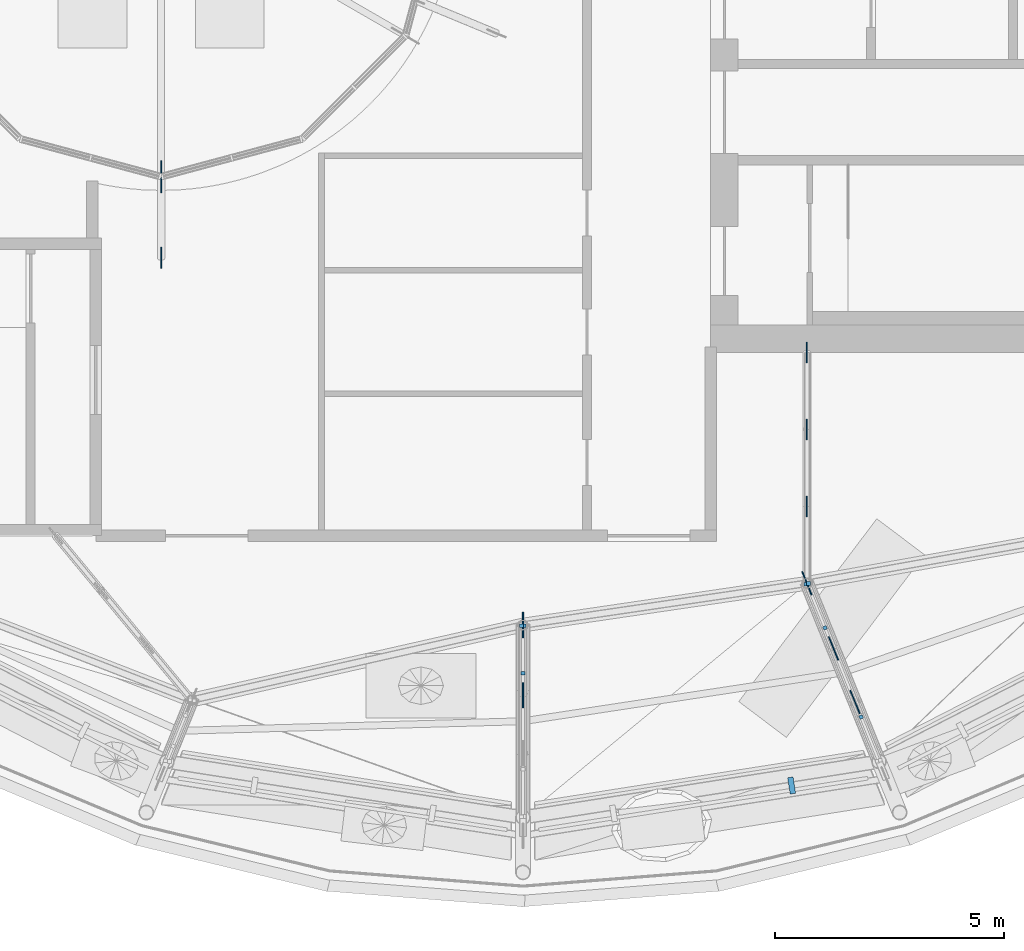
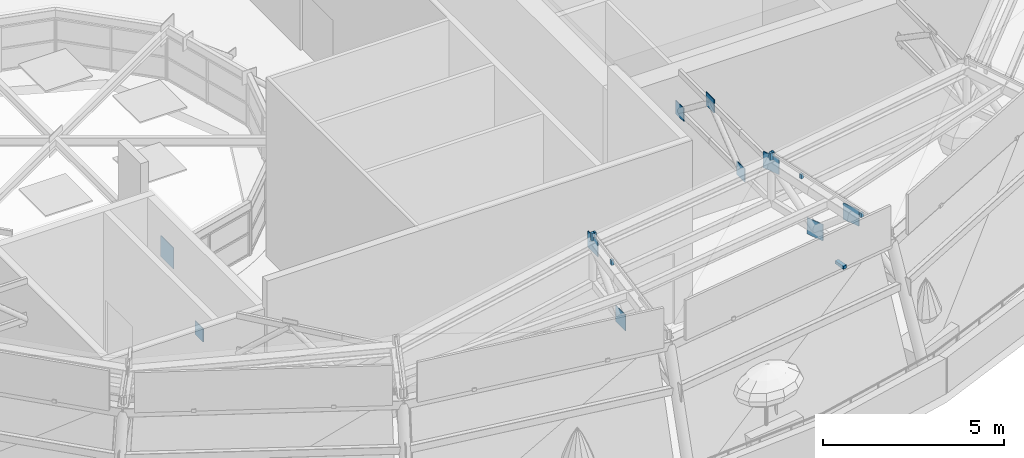
# One storey, part 21 of 40: 18 discrete accessories.
"""IFC4 building model written with IfcOpenShell, lengths in metres."""

from ifc_helpers import new_model, si_unit, direction, frame, origin, origin_2d, place, context, subcontext, project, spatial, rectangle, extrude, material, type_object, element, save


model = new_model("IFC4")

# Units and contexts
model_context = context("Model", 3, precision=1e-05, world=origin(), true_north=direction((0.0, 1.0)))
body_context = subcontext(model_context, "Body", "Model", "MODEL_VIEW")
ifc_project = project(units=[si_unit("LENGTHUNIT", "METRE"), si_unit("AREAUNIT", "SQUARE_METRE"), si_unit("VOLUMEUNIT", "CUBIC_METRE"), si_unit("PLANEANGLEUNIT", "RADIAN"), si_unit("MASSUNIT", "GRAM", prefix="KILO")], contexts=[model_context])

# Site, building, storey
site_placement = place(None, origin())
site = spatial("IfcSite", under=ifc_project, at=site_placement, CompositionType="ELEMENT")
building_placement = place(site_placement, origin())
building = spatial("IfcBuilding", under=site, at=building_placement, Name="Taillehof Tower", CompositionType="ELEMENT")
storey_placement = place(building_placement, frame((0.0, 0.0, 275.199951171875)))
storey = spatial("IfcBuildingStorey", under=building, at=storey_placement, Name="L77", CompositionType="ELEMENT", Elevation=275.199951171875)

# Discrete accessories
ifc_material_1 = material(Name="Steel S460M", Category="steel")
discrete_accessory_type_1 = type_object("IfcDiscreteAccessoryType", Name="Steel bracket", PredefinedType="BRACKET", material=ifc_material_1)
discrete_accessory_1_placement = place(storey_placement, frame((-0.130126953125, -15.9677734375, 5.23828125), z_axis=(0.0, 0.0, 1.0), x_axis=(1.0, 0.0, 0.0)))
element("IfcDiscreteAccessory", 1, at=discrete_accessory_1_placement, inside=storey, type_object=discrete_accessory_type_1, Name="Canopy glazing seat", PredefinedType="BRACKET", context=body_context, shape_type="SweptSolid", body=[
    extrude(rectangle(XDim=0.080078125, YDim=0.080078125, at=origin_2d()), origin(), (0.0, 0.0, 1.0), 0.264404296875),
])
discrete_accessory_2_placement = place(storey_placement, frame((-0.10009765625, -17.0, 5.0400390625), z_axis=(0.0, 0.0, 1.0), x_axis=(0.0, 1.0, 0.0)))
element("IfcDiscreteAccessory", 2, at=discrete_accessory_2_placement, inside=storey, type_object=discrete_accessory_type_1, Name="Canopy glazing seat", PredefinedType="BRACKET", context=body_context, shape_type="SweptSolid", body=[
    extrude(rectangle(XDim=0.080078125, YDim=0.080078125, at=origin_2d()), origin(), (0.0, 0.0, 1.0), 0.172607421875),
])
discrete_accessory_3_placement = place(storey_placement, frame((6.0751953125, -15.0615234375, 5.236328125), z_axis=(0.0, 0.0, 1.0), x_axis=(1.0, 0.0, 0.0)))
element("IfcDiscreteAccessory", 3, at=discrete_accessory_3_placement, inside=storey, type_object=discrete_accessory_type_1, Name="Canopy glazing seat", PredefinedType="BRACKET", context=body_context, shape_type="SweptSolid", body=[
    extrude(rectangle(XDim=0.080078125, YDim=0.080078125, at=origin_2d()), origin(), (0.0, 0.0, 1.0), 0.243408203125),
])
discrete_accessory_4_placement = place(storey_placement, frame((-0.068115234375, -15.96435546875, 5.236328125), z_axis=(0.0, 0.0, 1.0), x_axis=(1.0, 0.0, 0.0)))
element("IfcDiscreteAccessory", 4, at=discrete_accessory_4_placement, inside=storey, type_object=discrete_accessory_type_1, Name="Canopy glazing seat", PredefinedType="BRACKET", context=body_context, shape_type="SweptSolid", body=[
    extrude(rectangle(XDim=0.080078125, YDim=0.080078125, at=origin_2d()), origin(), (0.0, 0.0, 1.0), 0.264404296875),
])
for number, where, z_axis, x_axis, name in (
    (5, (7.2822265625, -17.95849609375, 4.639892578125), (0.0, 0.0, 1.0), (-0.374959342853, 0.927041256475, 0.0), "Canopy glazing seat"),
    (6, (6.49462890625, -16.011474609375, 5.0400390625), (0.0, 0.0, 1.0), (-0.374959342853, 0.927041256475, 0.0), "Canopy glazing seat"),
):
    element("IfcDiscreteAccessory", number, at=place(storey_placement, frame(where, z_axis=z_axis, x_axis=x_axis)), inside=storey, type_object=discrete_accessory_type_1, Name=name, PredefinedType="BRACKET", context=body_context, shape_type="SweptSolid", body=[
        extrude(rectangle(XDim=0.080078125, YDim=0.080078125, at=origin_2d()), origin(), (0.0, 0.0, 1.0), 0.1513671875),
    ])
discrete_accessory_5_placement = place(storey_placement, frame((6.135498046875, -15.044189453125, 5.23779296875), z_axis=(0.0, 0.0, 1.0), x_axis=(1.0, 0.0, 0.0)))
element("IfcDiscreteAccessory", 7, at=discrete_accessory_5_placement, inside=storey, type_object=discrete_accessory_type_1, Name="Canopy glazing seat", PredefinedType="BRACKET", context=body_context, shape_type="SweptSolid", body=[
    extrude(rectangle(XDim=0.080078125, YDim=0.080078125, at=origin_2d()), origin(), (0.0, 0.0, 1.0), 0.243408203125),
])
discrete_accessory_6_placement = place(storey_placement, frame((5.7666015625, -19.453857421875, 4.429931640625), z_axis=(0.0, 0.0, 1.0), x_axis=(0.15680163243, -0.987630117031, 0.0)))
element("IfcDiscreteAccessory", 8, at=discrete_accessory_6_placement, inside=storey, type_object=discrete_accessory_type_1, Name="Crown fascia bracket", PredefinedType="BRACKET", context=body_context, shape_type="SweptSolid", body=[
    extrude(rectangle(XDim=0.360107421875, YDim=0.1201171875, at=origin_2d()), origin(), (0.0, 0.0, 1.0), 0.10009765625),
])
ifc_material_2 = material(Name="Steel S460M", Category="steel")
discrete_accessory_type_2 = type_object("IfcDiscreteAccessoryType", Name="Steel gusset plate", PredefinedType="BRACKET", material=ifc_material_2)
discrete_accessory_7_placement = place(storey_placement, frame((-8.0, -7.929931640625, -0.1650390625), z_axis=(0.0, 0.0, 1.0), x_axis=(0.0, 1.0, 0.0)))
element("IfcDiscreteAccessory", 9, at=discrete_accessory_7_placement, inside=storey, type_object=discrete_accessory_type_2, Name="Gusset plate 358", PredefinedType="BRACKET", context=body_context, shape_type="SweptSolid", body=[
    extrude(rectangle(XDim=0.449951171875, YDim=0.02490234375, at=origin_2d()), origin(), (0.0, 0.0, 1.0), 0.449951171875),
])
discrete_accessory_8_placement = place(storey_placement, frame((-8.0, -6.159912109375, 1.30029296875), z_axis=(0.0, 0.0, 1.0), x_axis=(0.0, 1.0, 0.0)))
element("IfcDiscreteAccessory", 10, at=discrete_accessory_8_placement, inside=storey, type_object=discrete_accessory_type_2, Name="Gusset plate 359", PredefinedType="BRACKET", context=body_context, shape_type="SweptSolid", body=[
    extrude(rectangle(XDim=0.699951171875, YDim=0.02490234375, at=origin_2d()), origin(), (0.0, 0.0, 1.0), 0.699951171875),
])
for number, where, z_axis, x_axis, name in (
    (11, (-0.10009765625, -17.47998046875, 3.2548828125), (0.0, 0.0, 1.0), (0.0, 1.0, 0.0), "Gusset plate 376"),
    (12, (-0.10009765625, -15.949951171875, 4.8251953125), (0.0, 0.0, 1.0), (0.0, 1.0, 0.0), "Gusset plate 377"),
    (13, (6.10009765625, -15.0400390625, 4.8251953125), (0.0, 0.0, 1.0), (-0.374842844452, 0.927088367936, 0.0), "Gusset plate 383"),
):
    element("IfcDiscreteAccessory", number, at=place(storey_placement, frame(where, z_axis=z_axis, x_axis=x_axis)), inside=storey, type_object=discrete_accessory_type_2, Name=name, PredefinedType="BRACKET", context=body_context, shape_type="SweptSolid", body=[
        extrude(rectangle(XDim=0.550048828125, YDim=0.02490234375, at=origin_2d()), origin(), (0.0, 0.0, 1.0), 0.550048828125),
    ])
for number, where, z_axis, x_axis, name in (
    (14, (6.10009765625, -13.360107421875, 3.5751953125), (0.0, 0.0, 1.0), (0.0, 1.0, 0.0), "Gusset plate 384"),
    (15, (6.10009765625, -11.679931640625, 4.875), (0.0, 0.0, 1.0), (0.0, 1.0, 0.0), "Gusset plate 385"),
    (16, (6.10009765625, -10.0, 3.5751953125), (0.0, 0.0, 1.0), (0.0, 1.0, 0.0), "Gusset plate 386"),
):
    element("IfcDiscreteAccessory", number, at=place(storey_placement, frame(where, z_axis=z_axis, x_axis=x_axis)), inside=storey, type_object=discrete_accessory_type_2, Name=name, PredefinedType="BRACKET", context=body_context, shape_type="SweptSolid", body=[
        extrude(rectangle(XDim=0.449951171875, YDim=0.02490234375, at=origin_2d()), origin(), (0.0, 0.0, 1.0), 0.449951171875),
    ])
for number, where, z_axis, x_axis, name in (
    (17, (6.679931640625, -16.4599609375, 3.2548828125), (0.0, 0.0, 1.0), (-0.374836372145, 0.92709098481, 0.0), "Gusset plate 391"),
    (18, (7.14990234375, -17.6298828125, 4.294921875), (0.0, 0.0, 1.0), (-0.374839608301, 0.927089676379, 0.0), "Gusset plate 393"),
):
    element("IfcDiscreteAccessory", number, at=place(storey_placement, frame(where, z_axis=z_axis, x_axis=x_axis)), inside=storey, type_object=discrete_accessory_type_2, Name=name, PredefinedType="BRACKET", context=body_context, shape_type="SweptSolid", body=[
        extrude(rectangle(XDim=0.550048828125, YDim=0.02490234375, at=origin_2d()), origin(), (0.0, 0.0, 1.0), 0.550048828125),
    ])

save(model, "model.ifc")
